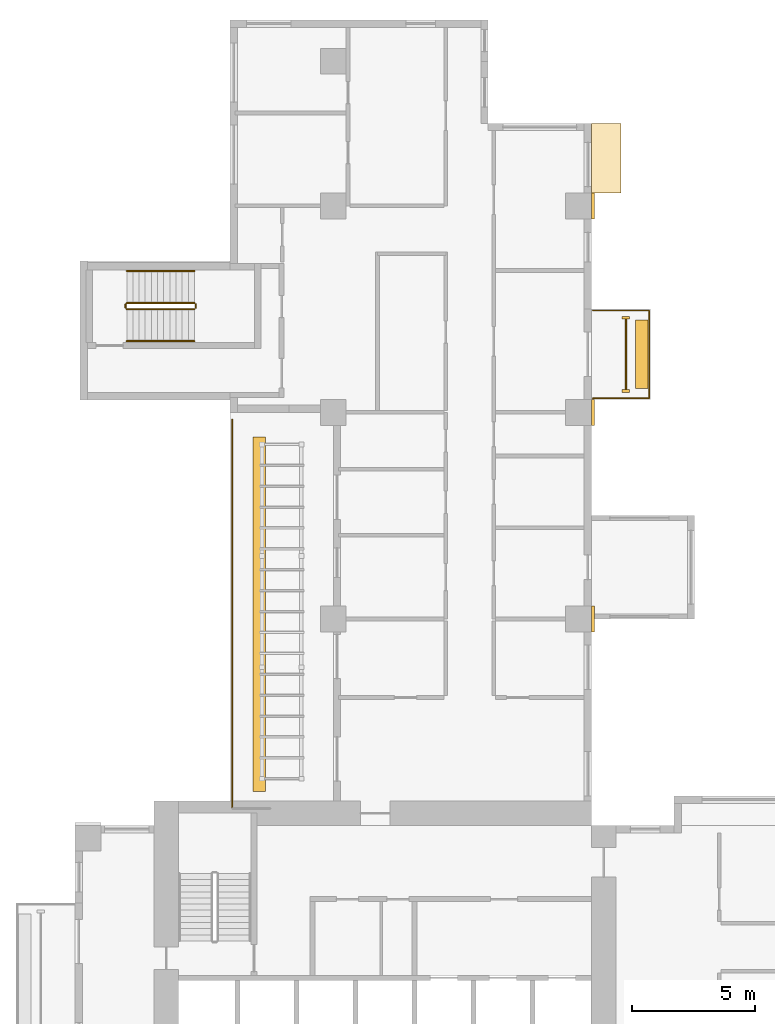
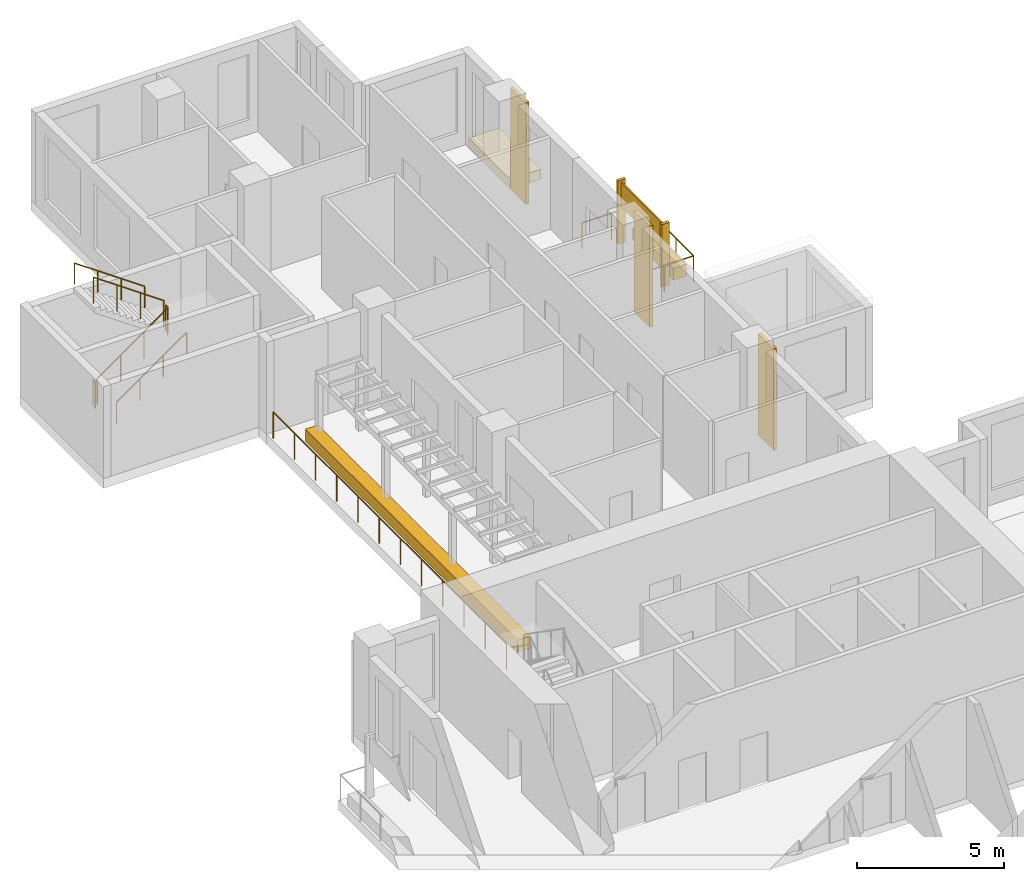
# One storey, part 15 of 16: 9 coverings, 8 railings.
"""IFC4 building model written with IfcOpenShell, lengths in metres."""

from ifc_helpers import new_model, si_unit, direction, frame, origin, origin_2d, place, context, subcontext, project, spatial, polyline, rectangle, circle, outline, extrude, source, transform, mapped, material, type_object, element, save


model = new_model("IFC4")

# Units and contexts
model_context = context("Model", 3, precision=1e-05, world=origin(), true_north=direction((0.0, 1.0)))
body_context = subcontext(model_context, "Body", "Model", "MODEL_VIEW")
ifc_project = project(units=[si_unit("LENGTHUNIT", "METRE"), si_unit("AREAUNIT", "SQUARE_METRE"), si_unit("VOLUMEUNIT", "CUBIC_METRE"), si_unit("PLANEANGLEUNIT", "RADIAN"), si_unit("MASSUNIT", "GRAM", prefix="KILO")], contexts=[model_context])

# Site, building, storey
site_placement = place(None, origin())
site = spatial("IfcSite", under=ifc_project, at=site_placement, CompositionType="ELEMENT")
building_placement = place(site_placement, origin())
building = spatial("IfcBuilding", under=site, at=building_placement, Name="Aurelian Terraces", CompositionType="ELEMENT")
storey_placement = place(building_placement, frame((0.0, 0.0, 124.5)))
storey = spatial("IfcBuildingStorey", under=building, at=storey_placement, Name="L27", CompositionType="ELEMENT", Elevation=124.5)

# Covering
ifc_material_1 = material(Name="Terracotta roof tiles on membrane", Category="masonry")
covering_type_1 = type_object("IfcCoveringType", Name="Bay roof cover", PredefinedType="ROOFING", material=ifc_material_1)
covering_1_placement = place(storey_placement, frame((0.0, 0.0, -0.4)))
element("IfcCovering", 1, at=covering_1_placement, inside=storey, type_object=covering_type_1, Name="Bay roof L27 21.00_46.73_22.20_49.56", PredefinedType="ROOFING", context=body_context, shape_type="SweptSolid", body=[
    extrude(outline(polyline([(21.0, 49.56), (22.2, 49.56), (22.2, 46.725), (21.0, 46.725), (21.0, 49.56)])), origin(), (0.0, 0.0, 1.0), 0.4),
])

# Railings
ifc_material_2 = material(Name="Anodised aluminium", Category="aluminium")
railing_type_1 = type_object("IfcRailingType", Name="GUARD-1100", PredefinedType="GUARDRAIL", material=ifc_material_2)
railing_1_placement = place(storey_placement, frame((21.05, 38.375, 0.0)))
element("IfcRailing", 2, at=railing_1_placement, inside=storey, type_object=railing_type_1, Name="Balcony guard L27 F08.26", PredefinedType="GUARDRAIL", context=body_context, shape_type="SweptSolid", body=[
    extrude(circle(Radius=0.024, at=origin_2d()), frame((0.0, 0.0, 1.076), z_axis=(1.0, 0.0, 0.0), x_axis=(0.0, 1.0, 0.0)), (0.0, 0.0, 1.0), 2.3),
    extrude(circle(Radius=0.024, at=origin_2d()), frame((2.3, 0.0, 1.076), z_axis=(0.0, 1.0, 0.0), x_axis=(-1.0, 0.0, 0.0)), (0.0, 0.0, 1.0), 3.575),
    extrude(circle(Radius=0.024, at=origin_2d()), frame((2.3, 3.575, 1.076), z_axis=(-1.0, 0.0, 0.0), x_axis=(0.0, -1.0, 0.0)), (0.0, 0.0, 1.0), 2.3),
    extrude(circle(Radius=0.021, at=origin_2d()), origin(), (0.0, 0.0, 1.0), 1.052),
    extrude(circle(Radius=0.021, at=origin_2d()), frame((1.15, 0.0, 0.0)), (0.0, 0.0, 1.0), 1.052),
    extrude(circle(Radius=0.021, at=origin_2d()), frame((2.3, 0.0, 0.0)), (0.0, 0.0, 1.0), 1.052),
    extrude(circle(Radius=0.021, at=origin_2d()), frame((2.3, 1.1917, 0.0)), (0.0, 0.0, 1.0), 1.052),
    extrude(circle(Radius=0.021, at=origin_2d()), frame((2.3, 2.3833, 0.0)), (0.0, 0.0, 1.0), 1.052),
    extrude(circle(Radius=0.021, at=origin_2d()), frame((2.3, 3.575, 0.0)), (0.0, 0.0, 1.0), 1.052),
    extrude(circle(Radius=0.021, at=origin_2d()), frame((1.15, 3.575, 0.0)), (0.0, 0.0, 1.0), 1.052),
    extrude(circle(Radius=0.021, at=origin_2d()), frame((0.0, 3.575, 0.0)), (0.0, 0.0, 1.0), 1.052),
])
railing_2_placement = place(storey_placement, frame((6.39, 21.69, 0.0)))
element("IfcRailing", 3, at=railing_2_placement, inside=storey, type_object=railing_type_1, Name="Terrace guard L27 SKY-04-T1.2", PredefinedType="GUARDRAIL", context=body_context, shape_type="SweptSolid", body=[
    extrude(circle(Radius=0.024, at=origin_2d()), frame((0.0, 0.0, 1.076), z_axis=(0.0, 1.0, 0.0), x_axis=(-1.0, 0.0, 0.0)), (0.0, 0.0, 1.0), 15.81),
    extrude(circle(Radius=0.021, at=origin_2d()), origin(), (0.0, 0.0, 1.0), 1.052),
    extrude(circle(Radius=0.021, at=origin_2d()), frame((0.0, 1.4373, 0.0)), (0.0, 0.0, 1.0), 1.052),
    extrude(circle(Radius=0.021, at=origin_2d()), frame((0.0, 2.8745, 0.0)), (0.0, 0.0, 1.0), 1.052),
    extrude(circle(Radius=0.021, at=origin_2d()), frame((0.0, 4.3118, 0.0)), (0.0, 0.0, 1.0), 1.052),
    extrude(circle(Radius=0.021, at=origin_2d()), frame((0.0, 5.7491, 0.0)), (0.0, 0.0, 1.0), 1.052),
    extrude(circle(Radius=0.021, at=origin_2d()), frame((0.0, 7.1864, 0.0)), (0.0, 0.0, 1.0), 1.052),
    extrude(circle(Radius=0.021, at=origin_2d()), frame((0.0, 8.6236, 0.0)), (0.0, 0.0, 1.0), 1.052),
    extrude(circle(Radius=0.021, at=origin_2d()), frame((0.0, 10.0609, 0.0)), (0.0, 0.0, 1.0), 1.052),
    extrude(circle(Radius=0.021, at=origin_2d()), frame((0.0, 11.4982, 0.0)), (0.0, 0.0, 1.0), 1.052),
    extrude(circle(Radius=0.021, at=origin_2d()), frame((0.0, 12.9355, 0.0)), (0.0, 0.0, 1.0), 1.052),
    extrude(circle(Radius=0.021, at=origin_2d()), frame((0.0, 14.3727, 0.0)), (0.0, 0.0, 1.0), 1.052),
    extrude(circle(Radius=0.021, at=origin_2d()), frame((0.0, 15.81, 0.0)), (0.0, 0.0, 1.0), 1.052),
])

# Coverings
ifc_material_3 = material(Name="Terracotta planter with planting soil", Category="masonry")
covering_type_2 = type_object("IfcCoveringType", Name="PLANTER-TROUGH", PredefinedType="USERDEFINED", material=ifc_material_3)
covering_2_placement = place(storey_placement, frame((23.05, 40.1625, 0.0), z_axis=(0.0, 0.0, 1.0), x_axis=(1.0, 0.0, 0.0)))
element("IfcCovering", 4, at=covering_2_placement, inside=storey, type_object=covering_type_2, Name="PLANTER L27 L27-F08-26", ObjectType="PLANTER", PredefinedType="USERDEFINED", context=body_context, shape_type="SweptSolid", body=[
    extrude(rectangle(XDim=0.5, YDim=2.775, at=origin_2d()), origin(), (0.0, 0.0, 1.0), 0.5),
])
covering_3_placement = place(storey_placement, frame((7.49, 29.595, 0.0), z_axis=(0.0, 0.0, 1.0), x_axis=(1.0, 0.0, 0.0)))
element("IfcCovering", 5, at=covering_3_placement, inside=storey, type_object=covering_type_2, Name="PLANTER L27 terrace SKY-04-T1-1.1", ObjectType="PLANTER", PredefinedType="USERDEFINED", context=body_context, shape_type="SweptSolid", body=[
    extrude(rectangle(XDim=0.5, YDim=14.41, at=origin_2d()), origin(), (0.0, 0.0, 1.0), 0.5),
])
ifc_material_4 = material(Name="Terracotta rainscreen cladding", Category="masonry")
covering_type_3 = type_object("IfcCoveringType", Name="SCREEN-TC", PredefinedType="CLADDING", material=ifc_material_4)
covering_4_placement = place(storey_placement, frame((22.4, 40.1625, 1.5), z_axis=(0.0, 0.0, 1.0), x_axis=(1.0, 0.0, 0.0)))
element("IfcCovering", 6, at=covering_4_placement, inside=storey, type_object=covering_type_3, Name="SCREEN L27 L27-F08-26", PredefinedType="CLADDING", context=body_context, shape_type="SweptSolid", body=[
    extrude(rectangle(XDim=0.06, YDim=2.855, at=origin_2d()), origin(), (0.0, 0.0, 1.0), 1.0),
])
ifc_material_5 = material(Name="Terracotta rainscreen cladding relief", Category="masonry")
covering_type_4 = type_object("IfcCoveringType", Name="FIN-TC", PredefinedType="CLADDING", material=ifc_material_5)
shared_shape_1 = source(origin(), body_context, "Body", "SweptSolid", [
    extrude(rectangle(XDim=0.3, YDim=0.12, at=origin_2d()), origin(), (0.0, 0.0, 1.0), 2.6),
])
for number, where, z_axis, x_axis, name in (
    (7, (22.4, 38.675, 0.0), (0.0, 0.0, 1.0), (1.0, 0.0, 0.0), "FIN L27 L27-F08-26.1"),
    (8, (22.4, 41.65, 0.0), (0.0, 0.0, 1.0), (1.0, 0.0, 0.0), "FIN L27 L27-F08-26.2"),
):
    element("IfcCovering", number, at=place(storey_placement, frame(where, z_axis=z_axis, x_axis=x_axis)), inside=storey, type_object=covering_type_4, Name=name, PredefinedType="CLADDING", context=body_context, shape_type="MappedRepresentation", body=[
        mapped(shared_shape_1, transform((0.0, 0.0, 0.0), scale=1.0)),
    ])
covering_type_5 = type_object("IfcCoveringType", Name="BAGUETTE-TC", PredefinedType="CLADDING", material=ifc_material_5)
shared_shape_2 = source(origin(), body_context, "Body", "SweptSolid", [
    extrude(rectangle(XDim=0.12, YDim=1.05, at=origin_2d()), origin(), (0.0, 0.0, 1.0), 4.2),
])
for number, where, z_axis, x_axis, name in (
    (9, (21.06, 29.4, -0.4), (0.0, 0.0, 1.0), (1.0, 0.0, 0.0), "BAGUETTE pier L27 10"),
    (10, (21.06, 37.8, -0.4), (0.0, 0.0, 1.0), (1.0, 0.0, 0.0), "BAGUETTE pier L27 11"),
    (11, (21.06, 46.2, -0.4), (0.0, 0.0, 1.0), (1.0, 0.0, 0.0), "BAGUETTE pier L27 12"),
):
    element("IfcCovering", number, at=place(storey_placement, frame(where, z_axis=z_axis, x_axis=x_axis)), inside=storey, type_object=covering_type_5, Name=name, PredefinedType="CLADDING", context=body_context, shape_type="MappedRepresentation", body=[
        mapped(shared_shape_2, transform((0.0, 0.0, 0.0), scale=1.0)),
    ])

# Railings
ifc_material_6 = material(Name="Stainless steel", Category="steel")
railing_type_2 = type_object("IfcRailingType", Name="Stair guard 1100", PredefinedType="GUARDRAIL", material=ifc_material_6)
shared_shape_3 = source(origin(), body_context, "Body", "SweptSolid", [
    extrude(circle(Radius=0.024, at=origin_2d()), frame((0.0, 0.0, 1.076), z_axis=(0.0, 1.0, 0.0), x_axis=(-1.0, 0.0, 0.0)), (0.0, 0.0, 1.0), 0.15),
    extrude(circle(Radius=0.021, at=origin_2d()), origin(), (0.0, 0.0, 1.0), 1.052),
    extrude(circle(Radius=0.021, at=origin_2d()), frame((0.0, 0.15, 0.0)), (0.0, 0.0, 1.0), 1.052),
])
for number, where, name in (
    (12, (4.9, 42.05, 2.1), "L27 S3 stair guard 2"),
    (13, (2.05, 42.05, 0.0), "L27 S3 stair guard 4"),
):
    element("IfcRailing", number, at=place(storey_placement, frame(where)), inside=storey, type_object=railing_type_2, Name=name, PredefinedType="GUARDRAIL", context=body_context, shape_type="MappedRepresentation", body=[
        mapped(shared_shape_3, transform((0.0, 0.0, 0.0), scale=1.0)),
    ])
shared_shape_4 = source(origin(), body_context, "Body", "SweptSolid", [
    extrude(circle(Radius=0.024, at=origin_2d()), frame((0.0, 0.0, 1.076), z_axis=(0.819231920519, 0.0, 0.573462344363), x_axis=(0.0, 1.0, 0.0)), (0.0, 0.0, 1.0), 3.3568),
    extrude(circle(Radius=0.021, at=origin_2d()), origin(), (0.0, 0.0, 1.0), 1.052),
    extrude(circle(Radius=0.021, at=origin_2d()), frame((0.9167, 0.0, 0.6417)), (0.0, 0.0, 1.0), 1.052),
    extrude(circle(Radius=0.021, at=origin_2d()), frame((1.8333, 0.0, 1.2833)), (0.0, 0.0, 1.0), 1.052),
    extrude(circle(Radius=0.021, at=origin_2d()), frame((2.75, 0.0, 1.925)), (0.0, 0.0, 1.0), 1.052),
])
railing_3_placement = place(storey_placement, frame((2.1, 42.0, 0.175)))
element("IfcRailing", 14, at=railing_3_placement, inside=storey, type_object=railing_type_2, Name="L27 S3 stair guard 1", PredefinedType="GUARDRAIL", context=body_context, shape_type="MappedRepresentation", body=[
    mapped(shared_shape_4, transform((0.0, 0.0, 0.0), scale=1.0)),
])
shared_shape_5 = source(origin(), body_context, "Body", "SweptSolid", [
    extrude(circle(Radius=0.024, at=origin_2d()), frame((0.0, 0.0, 1.076), z_axis=(-0.819231920519, 0.0, 0.573462344363), x_axis=(0.0, -1.0, 0.0)), (0.0, 0.0, 1.0), 3.3568),
    extrude(circle(Radius=0.021, at=origin_2d()), origin(), (0.0, 0.0, 1.0), 1.052),
    extrude(circle(Radius=0.021, at=origin_2d()), frame((-0.9167, 0.0, 0.6417)), (0.0, 0.0, 1.0), 1.052),
    extrude(circle(Radius=0.021, at=origin_2d()), frame((-1.8333, 0.0, 1.2833)), (0.0, 0.0, 1.0), 1.052),
    extrude(circle(Radius=0.021, at=origin_2d()), frame((-2.75, 0.0, 1.925)), (0.0, 0.0, 1.0), 1.052),
])
railing_4_placement = place(storey_placement, frame((4.85, 42.25, 2.275)))
element("IfcRailing", 15, at=railing_4_placement, inside=storey, type_object=railing_type_2, Name="L27 S3 stair guard 3", PredefinedType="GUARDRAIL", context=body_context, shape_type="MappedRepresentation", body=[
    mapped(shared_shape_5, transform((0.0, 0.0, 0.0), scale=1.0)),
])
railing_type_3 = type_object("IfcRailingType", Name="Stair handrail", PredefinedType="HANDRAIL", material=ifc_material_6)
shared_shape_6 = source(origin(), body_context, "Body", "SweptSolid", [
    extrude(circle(Radius=0.024, at=origin_2d()), frame((0.0, 0.0, 0.876), z_axis=(0.819231920519, 0.0, 0.573462344363), x_axis=(0.0, 1.0, 0.0)), (0.0, 0.0, 1.0), 3.3568),
    extrude(circle(Radius=0.021, at=origin_2d()), origin(), (0.0, 0.0, 1.0), 0.852),
    extrude(circle(Radius=0.021, at=origin_2d()), frame((0.9167, 0.0, 0.6417)), (0.0, 0.0, 1.0), 0.852),
    extrude(circle(Radius=0.021, at=origin_2d()), frame((1.8333, 0.0, 1.2833)), (0.0, 0.0, 1.0), 0.852),
    extrude(circle(Radius=0.021, at=origin_2d()), frame((2.75, 0.0, 1.925)), (0.0, 0.0, 1.0), 0.852),
])
railing_5_placement = place(storey_placement, frame((2.1, 40.7, 0.175)))
element("IfcRailing", 16, at=railing_5_placement, inside=storey, type_object=railing_type_3, Name="L27 S3 stair handrail 1", PredefinedType="HANDRAIL", context=body_context, shape_type="MappedRepresentation", body=[
    mapped(shared_shape_6, transform((0.0, 0.0, 0.0), scale=1.0)),
])
shared_shape_7 = source(origin(), body_context, "Body", "SweptSolid", [
    extrude(circle(Radius=0.024, at=origin_2d()), frame((0.0, 0.0, 0.876), z_axis=(-0.819231920519, 0.0, 0.573462344363), x_axis=(0.0, -1.0, 0.0)), (0.0, 0.0, 1.0), 3.3568),
    extrude(circle(Radius=0.021, at=origin_2d()), origin(), (0.0, 0.0, 1.0), 0.852),
    extrude(circle(Radius=0.021, at=origin_2d()), frame((-0.9167, 0.0, 0.6417)), (0.0, 0.0, 1.0), 0.852),
    extrude(circle(Radius=0.021, at=origin_2d()), frame((-1.8333, 0.0, 1.2833)), (0.0, 0.0, 1.0), 0.852),
    extrude(circle(Radius=0.021, at=origin_2d()), frame((-2.75, 0.0, 1.925)), (0.0, 0.0, 1.0), 0.852),
])
railing_6_placement = place(storey_placement, frame((4.85, 43.55, 2.275)))
element("IfcRailing", 17, at=railing_6_placement, inside=storey, type_object=railing_type_3, Name="L27 S3 stair handrail 2", PredefinedType="HANDRAIL", context=body_context, shape_type="MappedRepresentation", body=[
    mapped(shared_shape_7, transform((0.0, 0.0, 0.0), scale=1.0)),
])

save(model, "model.ifc")
